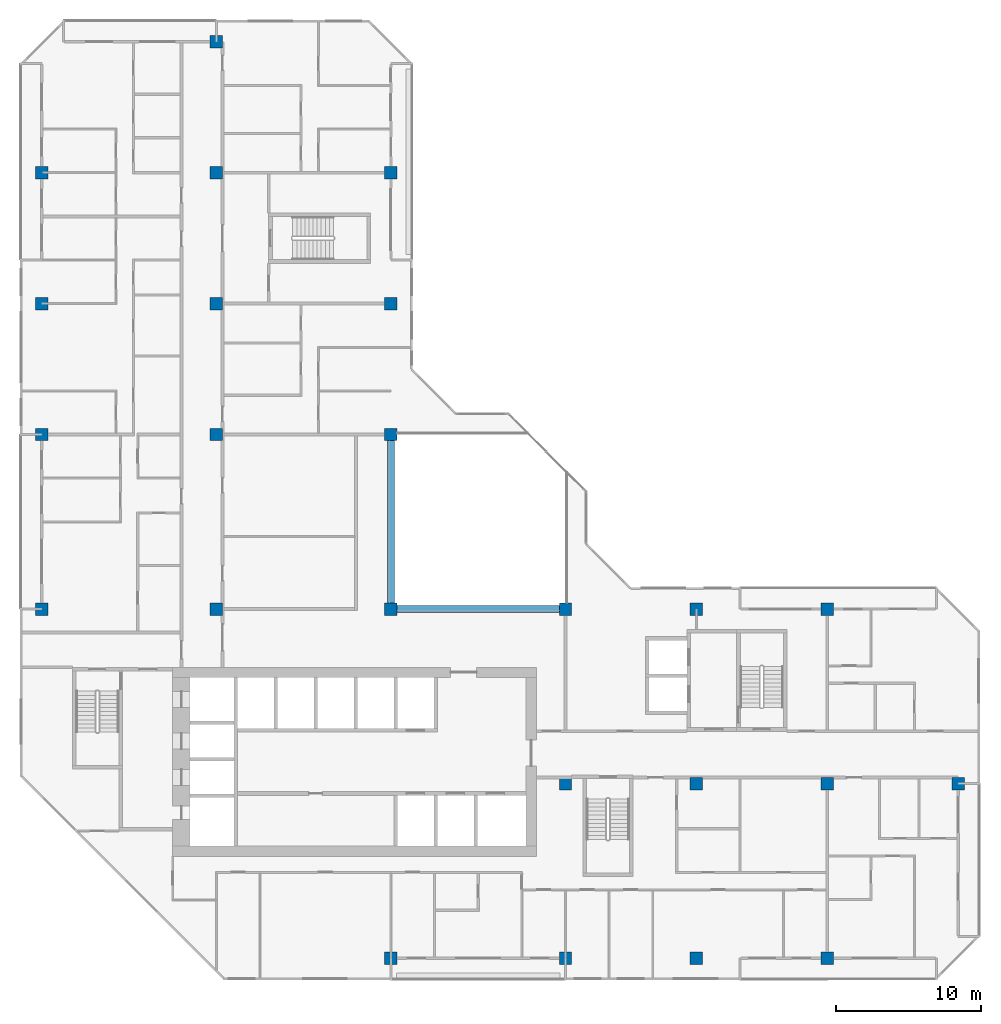
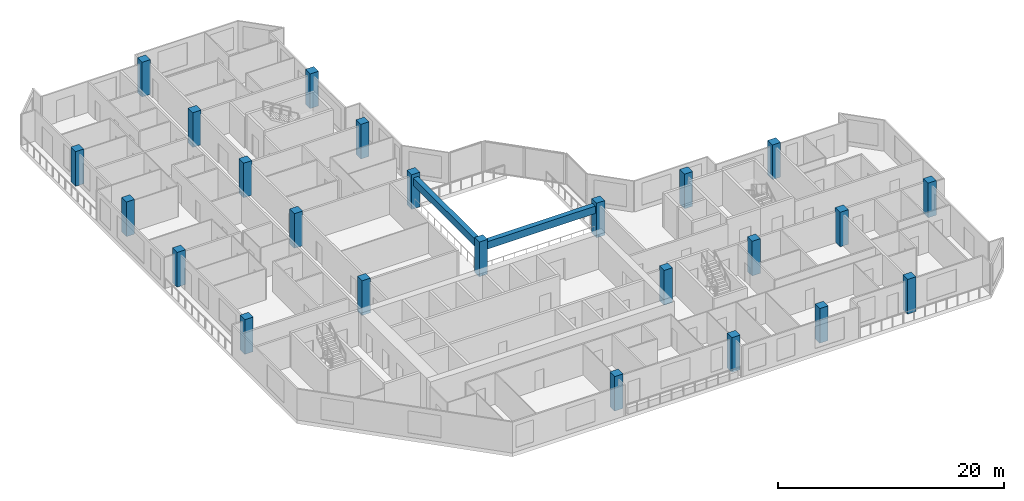
# One storey, part 1 of 14: 24 columns, 2 beams.
"""IFC4 building model written with IfcOpenShell, lengths in metres."""

from ifc_helpers import new_model, si_unit, direction, frame, origin, origin_2d, place, context, subcontext, project, spatial, rectangle, extrude, material, material_profile, profile_set, type_object, element, save


model = new_model("IFC4")

# Units and contexts
model_context = context("Model", 3, precision=1e-05, world=origin(), true_north=direction((0.0, 1.0)))
body_context = subcontext(model_context, "Body", "Model", "MODEL_VIEW")
ifc_project = project(units=[si_unit("LENGTHUNIT", "METRE"), si_unit("AREAUNIT", "SQUARE_METRE"), si_unit("VOLUMEUNIT", "CUBIC_METRE"), si_unit("PLANEANGLEUNIT", "RADIAN"), si_unit("MASSUNIT", "GRAM", prefix="KILO")], contexts=[model_context])

# Site, building, storey
site_placement = place(None, origin())
site = spatial("IfcSite", under=ifc_project, at=site_placement, CompositionType="ELEMENT")
building_placement = place(site_placement, origin())
building = spatial("IfcBuilding", under=site, at=building_placement, Name="Chenar Terraces", CompositionType="ELEMENT")
storey_placement = place(building_placement, frame((0.0, 0.0, 241.64990234375)))
storey = spatial("IfcBuildingStorey", under=building, at=storey_placement, Name="L57", CompositionType="ELEMENT", Elevation=241.64990234375)

# Columns
ifc_material_1 = material(Name="Concrete C60/75", Category="concrete")
ifc_material_profile_1 = material_profile(ifc_material_1, rectangle(XDim=0.85009765625, YDim=0.85009765625, at=origin_2d()), Name="C 850 x 850")
ifc_profile_set_1 = profile_set([ifc_material_profile_1], Name="Concrete C60/75")
column_type = type_object("IfcColumnType", Name="Column C 850 x 850 Concrete C60/75", PredefinedType="COLUMN", material=ifc_profile_set_1)
column_1_placement = place(storey_placement, frame((0.0, 24.0, 0.0), z_axis=(0.0, 0.0, 1.0), x_axis=(1.0, 0.0, 0.0)))
element("IfcColumn", 1, at=column_1_placement, inside=storey, type_object=column_type, Name="Column 5/G L57", PredefinedType="COLUMN", context=body_context, shape_type="SweptSolid", body=[
    extrude(rectangle(XDim=0.85009765625, YDim=0.85009765625, at=origin_2d()), origin(), (0.0, 0.0, 1.0), 3.75),
])
column_2_placement = place(storey_placement, frame((0.0, 36.0, 0.0), z_axis=(0.0, 0.0, 1.0), x_axis=(1.0, 0.0, 0.0)))
element("IfcColumn", 2, at=column_2_placement, inside=storey, type_object=column_type, Name="Column 5/H L57", PredefinedType="COLUMN", context=body_context, shape_type="SweptSolid", body=[
    extrude(rectangle(XDim=0.85009765625, YDim=0.85009765625, at=origin_2d()), origin(), (0.0, 0.0, 1.0), 3.75),
])
column_3_placement = place(storey_placement, frame((0.0, 45.0, 0.0), z_axis=(0.0, 0.0, 1.0), x_axis=(1.0, 0.0, 0.0)))
element("IfcColumn", 3, at=column_3_placement, inside=storey, type_object=column_type, Name="Column 5/J L57", PredefinedType="COLUMN", context=body_context, shape_type="SweptSolid", body=[
    extrude(rectangle(XDim=0.85009765625, YDim=0.85009765625, at=origin_2d()), origin(), (0.0, 0.0, 1.0), 3.75),
])
for number, where, z_axis, x_axis, name in (
    (4, (0.0, 54.0, 0.0), (0.0, 0.0, 1.0), (1.0, 0.0, 0.0), "Column 5/K L57"),
    (5, (12.0, 24.0, 0.0), (0.0, 0.0, 1.0), (1.0, 0.0, 0.0), "Column 6/G L57"),
    (6, (12.0, 36.0, 0.0), (0.0, 0.0, 1.0), (1.0, 0.0, 0.0), "Column 6/H L57"),
    (7, (12.0, 45.0, 0.0), (0.0, 0.0, 1.0), (1.0, 0.0, 0.0), "Column 6/J L57"),
    (8, (12.0, 54.0, 0.0), (0.0, 0.0, 1.0), (1.0, 0.0, 0.0), "Column 6/K L57"),
    (9, (12.0, 63.0, 0.0), (0.0, 0.0, 1.0), (1.0, 0.0, 0.0), "Column 6/L L57"),
    (10, (24.0, 0.0, 0.0), (0.0, 0.0, 1.0), (1.0, 0.0, 0.0), "Column 7/E L57"),
    (11, (24.0, 24.0, 0.0), (0.0, 0.0, 1.0), (1.0, 0.0, 0.0), "Column 7/G L57"),
    (12, (24.0, 36.0, 0.0), (0.0, 0.0, 1.0), (1.0, 0.0, 0.0), "Column 7/H L57"),
    (13, (24.0, 45.0, 0.0), (0.0, 0.0, 1.0), (1.0, 0.0, 0.0), "Column 7/J L57"),
    (14, (24.0, 54.0, 0.0), (0.0, 0.0, 1.0), (1.0, 0.0, 0.0), "Column 7/K L57"),
    (15, (36.0, 0.0, 0.0), (0.0, 0.0, 1.0), (1.0, 0.0, 0.0), "Column 8/E L57"),
    (16, (36.0, 12.0, 0.0), (0.0, 0.0, 1.0), (1.0, 0.0, 0.0), "Column 8/F L57"),
    (17, (36.0, 24.0, 0.0), (0.0, 0.0, 1.0), (1.0, 0.0, 0.0), "Column 8/G L57"),
    (18, (45.0, 0.0, 0.0), (0.0, 0.0, 1.0), (1.0, 0.0, 0.0), "Column 9/E L57"),
    (19, (45.0, 12.0, 0.0), (0.0, 0.0, 1.0), (1.0, 0.0, 0.0), "Column 9/F L57"),
    (20, (45.0, 24.0, 0.0), (0.0, 0.0, 1.0), (1.0, 0.0, 0.0), "Column 9/G L57"),
    (21, (54.0, 0.0, 0.0), (0.0, 0.0, 1.0), (1.0, 0.0, 0.0), "Column 10/E L57"),
    (22, (54.0, 12.0, 0.0), (0.0, 0.0, 1.0), (1.0, 0.0, 0.0), "Column 10/F L57"),
    (23, (54.0, 24.0, 0.0), (0.0, 0.0, 1.0), (1.0, 0.0, 0.0), "Column 10/G L57"),
    (24, (63.0, 12.0, 0.0), (0.0, 0.0, 1.0), (1.0, 0.0, 0.0), "Column 11/F L57"),
):
    element("IfcColumn", number, at=place(storey_placement, frame(where, z_axis=z_axis, x_axis=x_axis)), inside=storey, type_object=column_type, Name=name, PredefinedType="COLUMN", context=body_context, shape_type="SweptSolid", body=[
        extrude(rectangle(XDim=0.85009765625, YDim=0.85009765625, at=origin_2d()), origin(), (0.0, 0.0, 1.0), 3.75),
    ])

# Beams
ifc_material_2 = material(Name="Concrete C40/50", Category="concrete")
ifc_material_profile_2 = material_profile(ifc_material_2, rectangle(XDim=0.5, YDim=0.800048828125, at=origin_2d()), Name="RC 500 x 800")
ifc_profile_set_2 = profile_set([ifc_material_profile_2], Name="Concrete C40/50")
beam_type = type_object("IfcBeamType", Name="Atrium edge beam 500 x 800 Concrete C40/50", PredefinedType="BEAM", material=ifc_profile_set_2)
for number, where, z_axis, x_axis, name in (
    (25, (24.425048828125, 24.0, 2.9501953125), (1.0, 0.0, 0.0), (0.0, 1.0, 0.0), "Atrium edge beam L58 1"),
    (26, (24.0, 35.574951171875, 2.9501953125), (0.0, -1.0, 0.0), (1.0, 0.0, 0.0), "Atrium edge beam L58 4"),
):
    element("IfcBeam", number, at=place(storey_placement, frame(where, z_axis=z_axis, x_axis=x_axis)), inside=storey, type_object=beam_type, Name=name, PredefinedType="BEAM", context=body_context, shape_type="SweptSolid", body=[
        extrude(rectangle(XDim=0.5, YDim=0.800048828125, at=origin_2d()), origin(), (0.0, 0.0, 1.0), 11.14990234375),
    ])

save(model, "model.ifc")
